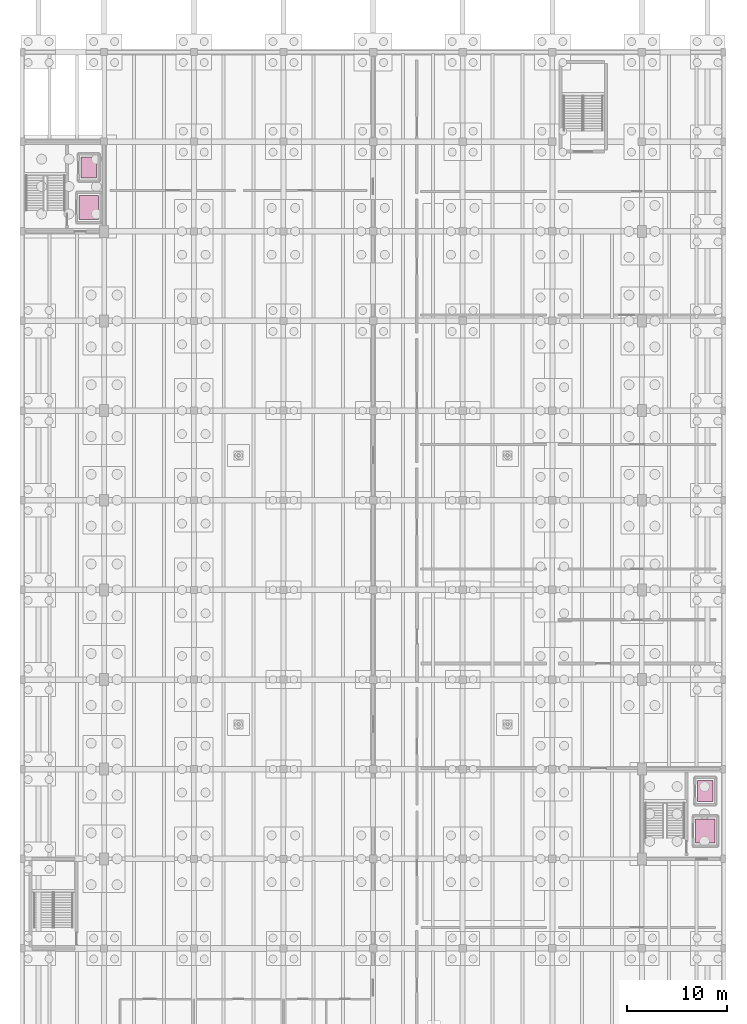
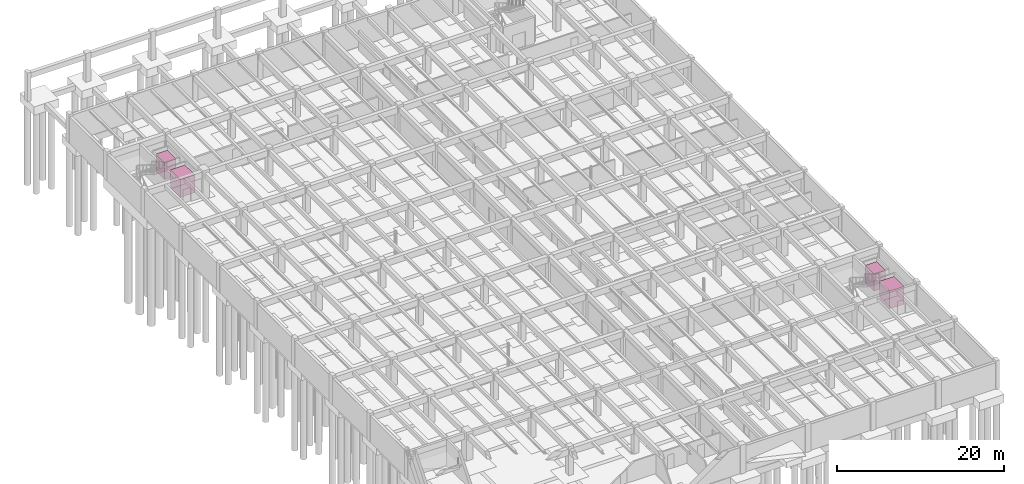
# One storey, part 23 of 23: 4 transport elements.
"""IFC4 building model written with IfcOpenShell, lengths in metres."""

from ifc_helpers import new_model, si_unit, direction, frame, origin, origin_2d, place, context, subcontext, project, spatial, rectangle, extrude, material, type_object, element, save


model = new_model("IFC4")

# Units and contexts
model_context = context("Model", 3, precision=1e-05, world=origin(), true_north=direction((0.0, 1.0)))
body_context = subcontext(model_context, "Body", "Model", "MODEL_VIEW")
ifc_project = project(units=[si_unit("LENGTHUNIT", "METRE"), si_unit("AREAUNIT", "SQUARE_METRE"), si_unit("VOLUMEUNIT", "CUBIC_METRE"), si_unit("PLANEANGLEUNIT", "RADIAN"), si_unit("MASSUNIT", "GRAM", prefix="KILO")], contexts=[model_context])

# Site, building, storey
site_placement = place(None, origin())
site = spatial("IfcSite", under=ifc_project, at=site_placement, CompositionType="ELEMENT")
building_placement = place(site_placement, origin())
building = spatial("IfcBuilding", under=site, at=building_placement, Name="Ornek Quay Market", CompositionType="ELEMENT")
storey_placement = place(building_placement, frame((0.0, 0.0, -4.199951171875)))
storey = spatial("IfcBuildingStorey", under=building, at=storey_placement, Name="B1", CompositionType="ELEMENT", Elevation=-4.199951171875)

# Transport elements
ifc_material_1 = material(Name="Heavy-duty stainless steel goods/firefighting lift car", Category="steel")
transport_element_type_1 = type_object("IfcTransportElementType", Name="LFT-GOODS-2000x2400", PredefinedType="ELEVATOR", material=ifc_material_1)
for number, where, z_axis, x_axis, name in (
    (1, (61.449951171875, 94.39990234375, 0.0), (0.0, 0.0, 1.0), (1.0, 0.0, 0.0), "Elevator LF-01"),
    (2, (123.35009765625, 31.800048828125, 0.0), (0.0, 0.0, 1.0), (1.0, 0.0, 0.0), "Elevator LF-02"),
):
    element("IfcTransportElement", number, at=place(storey_placement, frame(where, z_axis=z_axis, x_axis=x_axis)), inside=storey, type_object=transport_element_type_1, Name=name, PredefinedType="ELEVATOR", context=body_context, shape_type="SweptSolid", body=[
        extrude(rectangle(XDim=2.0, YDim=2.39990234375, at=origin_2d()), origin(), (0.0, 0.0, 1.0), 2.60009765625),
    ])
ifc_material_2 = material(Name="Brushed stainless steel 316 lift car", Category="steel")
transport_element_type_2 = type_object("IfcTransportElementType", Name="LFT-PASS-1600x2100", PredefinedType="ELEVATOR", material=ifc_material_2)
for number, where, z_axis, x_axis, name in (
    (3, (61.449951171875, 98.39990234375, 0.0), (0.0, 0.0, 1.0), (1.0, 0.0, 0.0), "Elevator LP-02"),
    (4, (123.35009765625, 35.800048828125, 0.0), (0.0, 0.0, 1.0), (1.0, 0.0, 0.0), "Elevator LP-03"),
):
    element("IfcTransportElement", number, at=place(storey_placement, frame(where, z_axis=z_axis, x_axis=x_axis)), inside=storey, type_object=transport_element_type_2, Name=name, PredefinedType="ELEVATOR", context=body_context, shape_type="SweptSolid", body=[
        extrude(rectangle(XDim=1.60009765625, YDim=2.10009765625, at=origin_2d()), origin(), (0.0, 0.0, 1.0), 2.5),
    ])

save(model, "model.ifc")
